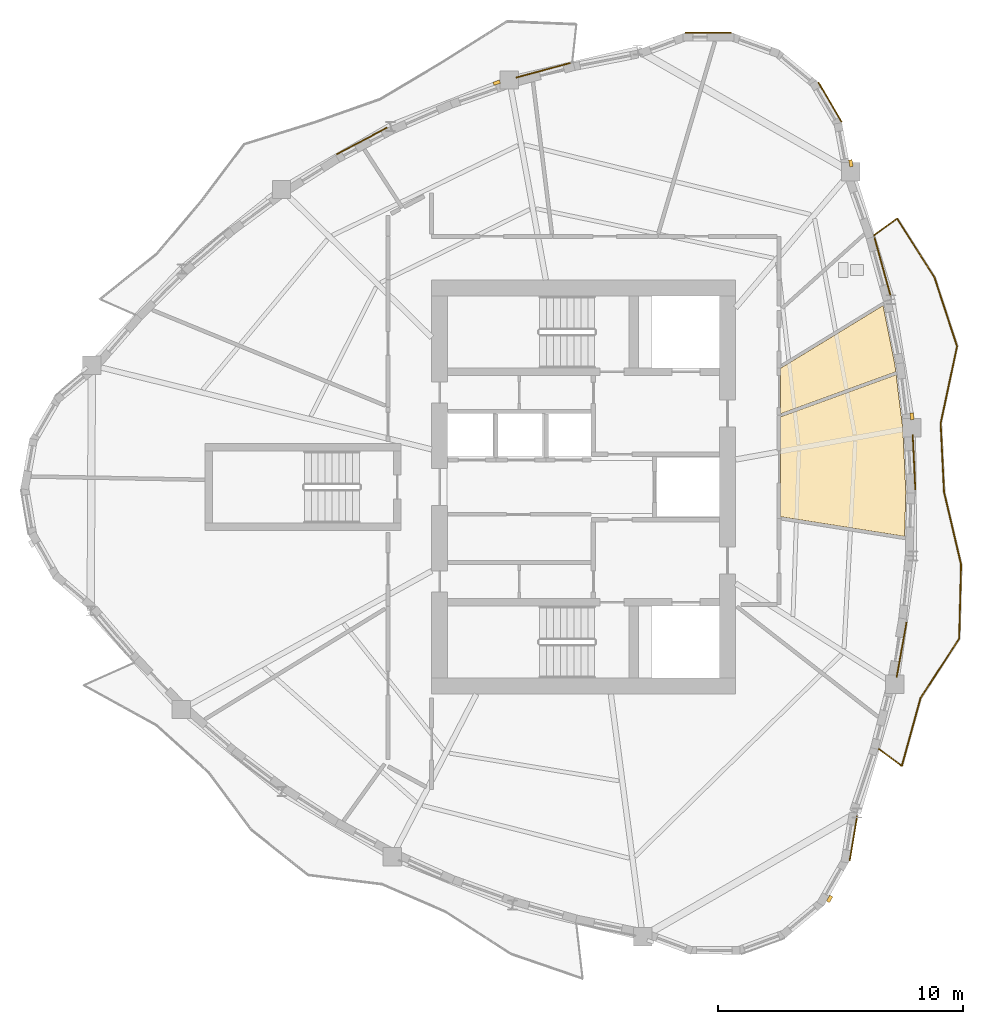
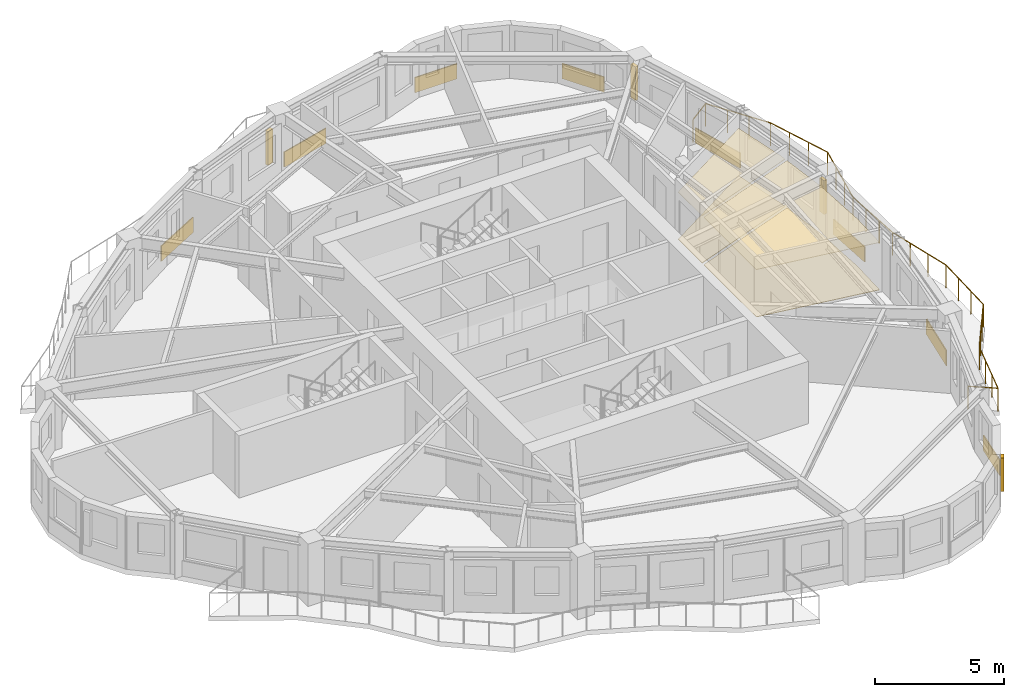
# One storey, part 11 of 12: 12 coverings, 4 shading devices, 1 railing.
"""IFC4 building model written with IfcOpenShell, lengths in metres."""

import ifcopenshell
import ifcopenshell.guid

model = None  # the IFC model being written
_history = None  # IfcOwnerHistory: only IFC2X3 demands one
_inside = {}  # id of a spatial element -> (the spatial element, [elements in it])
_under = {}  # id of a project, library or spatial element -> (it, [spatial elements below it])
_declared = {}  # id of a project -> (the project, [libraries it declares])
_typed = {}  # id of a type object -> (the type object, [elements of that type])
_made_of = {}  # id of a material, layer set ... -> (it, [elements and type objects made of it])


def new_model(schema):
    """Start an empty IFC model of exactly this schema.

    Asked for "IFC4X3", IfcOpenShell would pick the latest addendum, in which some entities
    have other attributes; the version numbers below select the first issue.
    IFC2X3 requires an IfcOwnerHistory on every rooted entity: one is made here for all.
    """
    global model, _history
    if schema == "IFC4X3":
        model = ifcopenshell.file(schema_version=(4, 3, 0, 0))
    else:
        model = ifcopenshell.file(schema=schema)
    _inside.clear()
    _under.clear()
    _declared.clear()
    _typed.clear()
    _made_of.clear()
    _history = None
    if model.schema == "IFC2X3":
        org = make("IfcOrganization", Name="unknown")
        user = make(
            "IfcPersonAndOrganization",
            ThePerson=make("IfcPerson", FamilyName="unknown"),
            TheOrganization=org,
        )
        app = make(
            "IfcApplication",
            ApplicationDeveloper=org,
            Version="unknown",
            ApplicationFullName="unknown",
            ApplicationIdentifier="unknown",
        )
        _history = make(
            "IfcOwnerHistory",
            OwningUser=user,
            OwningApplication=app,
            ChangeAction="ADDED",
            CreationDate=0,
        )
    return model


def make(cls, **values):
    """One entity of the class cls with the attributes given. An attribute that is None is left unset."""
    return model.create_entity(
        cls, **{name: value for name, value in values.items() if value is not None}
    )


def rooted(cls, **values):
    """An entity with a GlobalId (a new one), such as an element, a storey or a relation."""
    return make(cls, GlobalId=ifcopenshell.guid.new(), OwnerHistory=_history, **values)


def si_unit(unit_type, name, prefix=None):
    """IfcSIUnit, for example si_unit("LENGTHUNIT", "METRE", prefix="MILLI")."""
    return make("IfcSIUnit", UnitType=unit_type, Prefix=prefix, Name=name)


def assignment(units):
    """IfcUnitAssignment: the units of a project."""
    return None if units is None else make("IfcUnitAssignment", Units=units)


def point(xyz):
    """IfcCartesianPoint."""
    return None if xyz is None else make("IfcCartesianPoint", Coordinates=xyz)


def direction(xyz):
    """IfcDirection."""
    return None if xyz is None else make("IfcDirection", DirectionRatios=xyz)


def frame(location, z_axis=None, x_axis=None):
    """IfcAxis2Placement3D, a coordinate frame: its origin and axes. An axis left out is left unset."""
    return make(
        "IfcAxis2Placement3D",
        Location=point(location),
        Axis=direction(z_axis),
        RefDirection=direction(x_axis),
    )


def frame_2d(location, x_axis=None):
    """IfcAxis2Placement2D, a coordinate frame in the plane: its origin and x axis."""
    return make(
        "IfcAxis2Placement2D", Location=point(location), RefDirection=direction(x_axis)
    )


def origin():
    """The frame at (0, 0, 0) with its axes left unset."""
    return frame((0.0, 0.0, 0.0))


def origin_2d():
    """The frame at (0, 0) in the plane with its x axis left unset."""
    return frame_2d((0.0, 0.0))


def place(relative_to, where):
    """IfcLocalPlacement: puts the frame where relative to a parent placement (None: the world)."""
    return make(
        "IfcLocalPlacement", PlacementRelTo=relative_to, RelativePlacement=where
    )


def context(
    kind, dimensions, precision=None, world=None, true_north=None, identifier=None
):
    """IfcGeometricRepresentationContext, for example the 3D "Model" context."""
    return make(
        "IfcGeometricRepresentationContext",
        ContextIdentifier=identifier,
        ContextType=kind,
        CoordinateSpaceDimension=dimensions,
        Precision=precision,
        WorldCoordinateSystem=world,
        TrueNorth=true_north,
    )


def subcontext(parent, identifier, kind, view, scale=None):
    """IfcGeometricRepresentationSubContext, for example "Body" below "Model"."""
    return make(
        "IfcGeometricRepresentationSubContext",
        ContextIdentifier=identifier,
        ContextType=kind,
        ParentContext=parent,
        TargetScale=scale,
        TargetView=view,
    )


def project(units=None, contexts=None):
    """IfcProject with its units and contexts."""
    return rooted(
        "IfcProject",
        Name="project",
        RepresentationContexts=contexts,
        UnitsInContext=assignment(units),
    )


def spatial(cls, under=None, at=None, **own):
    """A site, building, storey or space (cls), placed at a placement, below another one or the project."""
    s = rooted(cls, ObjectPlacement=at, **own)
    if under is not None:
        _under.setdefault(under.id(), (under, []))[1].append(s)
    return s


def polyline(points):
    """IfcPolyline through the points."""
    return make("IfcPolyline", Points=[point(p) for p in points])


def profile(cls, at=None, kind="AREA", **sizes):
    """A parametric profile (cls). Its sizes go by their IFC names, for example OverallWidth=200.0."""
    return make(cls, ProfileType=kind, Position=at, **sizes)


def rectangle(**sizes):
    """IfcRectangleProfileDef."""
    return profile("IfcRectangleProfileDef", **sizes)


def circle(**sizes):
    """IfcCircleProfileDef."""
    return profile("IfcCircleProfileDef", **sizes)


def outline(outer, holes=None, kind="AREA"):
    """IfcArbitraryClosedProfileDef: a profile drawn as a closed curve; with holes, ...WithVoids."""
    if holes is None:
        return make("IfcArbitraryClosedProfileDef", ProfileType=kind, OuterCurve=outer)
    return make(
        "IfcArbitraryProfileDefWithVoids",
        ProfileType=kind,
        OuterCurve=outer,
        InnerCurves=holes,
    )


def extrude(swept, where, along, depth):
    """IfcExtrudedAreaSolid: the profile swept, set in the frame where, extruded along a direction by depth."""
    return make(
        "IfcExtrudedAreaSolid",
        SweptArea=swept,
        Position=where,
        ExtrudedDirection=direction(along),
        Depth=depth,
    )


def shape(context_of_items, identifier, shape_type, items):
    """IfcShapeRepresentation: the items that make up one representation, for example the "Body"."""
    return make(
        "IfcShapeRepresentation",
        ContextOfItems=context_of_items,
        RepresentationIdentifier=identifier,
        RepresentationType=shape_type,
        Items=items,
    )


def source(mapping_origin, context_of_items, identifier, shape_type, items):
    """IfcRepresentationMap: a shape defined once, which mapped items show again and again."""
    return make(
        "IfcRepresentationMap",
        MappingOrigin=mapping_origin,
        MappedRepresentation=shape(context_of_items, identifier, shape_type, items),
    )


def transform(
    local_origin,
    x_axis=None,
    y_axis=None,
    z_axis=None,
    scale=None,
    scale2=None,
    scale3=None,
    uniform=True,
):
    """IfcCartesianTransformationOperator3D, or its non-uniform kind. x_axis, y_axis, z_axis: its Axis1, 2, 3."""
    if uniform:
        return make(
            "IfcCartesianTransformationOperator3D",
            Axis1=direction(x_axis),
            Axis2=direction(y_axis),
            LocalOrigin=point(local_origin),
            Scale=scale,
            Axis3=direction(z_axis),
        )
    return make(
        "IfcCartesianTransformationOperator3DnonUniform",
        Axis1=direction(x_axis),
        Axis2=direction(y_axis),
        LocalOrigin=point(local_origin),
        Scale=scale,
        Axis3=direction(z_axis),
        Scale2=scale2,
        Scale3=scale3,
    )


def mapped(mapping_source, mapping_target):
    """IfcMappedItem: shows the shape of a source again, moved by a transform."""
    return make(
        "IfcMappedItem", MappingSource=mapping_source, MappingTarget=mapping_target
    )


def material(Name=None, Category=None):
    """IfcMaterial."""
    return make("IfcMaterial", Name=Name, Category=Category)


def layer(
    of_material, thickness, ventilated=None, Name=None, Category=None, Priority=None
):
    """IfcMaterialLayer: one layer of a wall or slab, of a material (None: an air gap)."""
    return make(
        "IfcMaterialLayer",
        Material=of_material,
        LayerThickness=thickness,
        IsVentilated=ventilated,
        Name=Name,
        Category=Category,
        Priority=Priority,
    )


def layer_set(layers, Name=None):
    """IfcMaterialLayerSet."""
    return make("IfcMaterialLayerSet", MaterialLayers=layers, LayerSetName=Name)


def made_of(thing, what):
    """Note that an element or type object is made of a material, layer set ...; save() writes the relation."""
    if what is not None:
        _made_of.setdefault(what.id(), (what, []))[1].append(thing)
    return thing


def type_object(cls, material=None, **own):
    """A type object (cls), such as IfcWallType, which elements share."""
    return made_of(rooted(cls, **own), material)


def element(
    cls,
    number,
    at=None,
    inside=None,
    cuts=None,
    type_object=None,
    material=None,
    context=None,
    identifier="Body",
    shape_type=None,
    held_by="IfcProductDefinitionShape",
    body=None,
    shapes=None,
    **own,
):
    """One element of the class cls, such as IfcWall. Its Tag is "e" and its number.

    at: its placement. inside: the storey or other place that contains it. cuts: it is an
    opening in that element (IfcRelVoidsElement). A single representation is given by context,
    identifier, shape_type and body (its items); several are given by shapes. held_by: the class
    of the entity that holds the representations. save() writes the other relations.
    """
    e = rooted(cls, Tag="e%d" % number, ObjectPlacement=at, **own)
    if body is not None:
        shapes = [shape(context, identifier, shape_type, body)]
    if shapes is not None:
        e.Representation = make(held_by, Representations=shapes)
    if inside is not None:
        _inside.setdefault(inside.id(), (inside, []))[1].append(e)
    if cuts is not None:
        rooted(
            "IfcRelVoidsElement", RelatingBuildingElement=cuts, RelatedOpeningElement=e
        )
    if type_object is not None:
        _typed.setdefault(type_object.id(), (type_object, []))[1].append(e)
    return made_of(e, material)


def aggregate(whole, parts):
    """IfcRelAggregates: a whole, such as a stair, and the parts it consists of."""
    return rooted("IfcRelAggregates", RelatingObject=whole, RelatedObjects=parts)


def save(model, path):
    """Write the relations noted so far, then the file.

    IfcRelAggregates (storeys below a building ...), IfcRelContainedInSpatialStructure (elements
    in a storey), IfcRelDefinesByType, IfcRelAssociatesMaterial and IfcRelDeclares: one each for
    every whole, place, type object, material and project.
    """
    for whole, parts in _under.values():
        aggregate(whole, parts)
    for where, things in _inside.values():
        rooted(
            "IfcRelContainedInSpatialStructure",
            RelatedElements=things,
            RelatingStructure=where,
        )
    for kind, things in _typed.values():
        rooted("IfcRelDefinesByType", RelatedObjects=things, RelatingType=kind)
    for what, things in _made_of.values():
        rooted("IfcRelAssociatesMaterial", RelatedObjects=things, RelatingMaterial=what)
    for by, libraries in _declared.values():
        rooted("IfcRelDeclares", RelatingContext=by, RelatedDefinitions=libraries)
    model.write(path)


model = new_model("IFC4")

# Units and contexts
model_context = context("Model", 3, precision=1e-05, world=origin(), true_north=direction((0.0, 1.0)))
body_context = subcontext(model_context, "Body", "Model", "MODEL_VIEW")
ifc_project = project(units=[si_unit("LENGTHUNIT", "METRE"), si_unit("AREAUNIT", "SQUARE_METRE"), si_unit("VOLUMEUNIT", "CUBIC_METRE"), si_unit("PLANEANGLEUNIT", "RADIAN"), si_unit("MASSUNIT", "GRAM", prefix="KILO")], contexts=[model_context])

# Site, building, storey
site_placement = place(None, origin())
site = spatial("IfcSite", under=ifc_project, at=site_placement, CompositionType="ELEMENT")
building_placement = place(site_placement, origin())
building = spatial("IfcBuilding", under=site, at=building_placement, Name="Qafzar Sky-Pleat Residences", CompositionType="ELEMENT")
storey_placement = place(building_placement, frame((0.0, 0.0, 177.800048828125)))
storey = spatial("IfcBuildingStorey", under=building, at=storey_placement, Name="L53", CompositionType="ELEMENT", Elevation=177.800048828125)

# Coverings
ifc_material_1 = material(Name="Perforated acoustic gypsum board ceiling")
ifc_layer_1 = layer(ifc_material_1, 0.02001953125)
ifc_layer_set_1 = layer_set([ifc_layer_1], Name="Perforated acoustic gypsum board ceiling")
covering_type_1 = type_object("IfcCoveringType", Name="COV-CEIL-ACOUSTIC", PredefinedType="CEILING", material=ifc_layer_set_1)
covering_1_placement = place(storey_placement, frame((0.0, 0.0, 2.239990234375)))
element("IfcCovering", 1, at=covering_1_placement, inside=storey, type_object=covering_type_1, Name="L53 Co-Living Lounge Acoustic Ceiling", PredefinedType="CEILING", context=body_context, shape_type="SweptSolid", body=[
    extrude(outline(polyline([(43.374755859375, 28.387939453125), (43.498291015625, 25.801025390625), (43.44677734375, 23.98486328125), (38.389892578125, 24.786376953125), (38.389892578125, 28.863037109375), (43.103271484375, 30.578857421875), (43.374755859375, 28.387939453125)])), origin(), (0.0, 0.0, 1.0), 0.02001953125),
])
covering_2_placement = place(storey_placement, frame((0.0, 0.0, 2.239990234375)))
element("IfcCovering", 2, at=covering_2_placement, inside=storey, type_object=covering_type_1, Name="L53 Scholar Study Room Acoustic Ceiling", PredefinedType="CEILING", context=body_context, shape_type="SweptSolid", body=[
    extrude(outline(polyline([(43.054443359375, 30.973388671875), (43.088134765625, 30.701171875), (38.389892578125, 28.99072265625), (38.389892578125, 30.847412109375), (42.568359375, 33.4033203125), (43.054443359375, 30.973388671875)])), origin(), (0.0, 0.0, 1.0), 0.02001953125),
])
ifc_material_2 = material(Name="Honed porcelain and Riyadh stone tile flooring", Category="masonry")
ifc_layer_2 = layer(ifc_material_2, 0.02001953125)
ifc_layer_set_2 = layer_set([ifc_layer_2], Name="Honed porcelain and Riyadh stone tile flooring")
covering_type_2 = type_object("IfcCoveringType", Name="COV-FLR-PORCELAIN", PredefinedType="FLOORING", material=ifc_layer_set_2)
covering_3_placement = place(storey_placement, origin())
element("IfcCovering", 3, at=covering_3_placement, inside=storey, type_object=covering_type_2, Name="L53 Co-Living Lounge Honed Stone Flooring", PredefinedType="FLOORING", context=body_context, shape_type="SweptSolid", body=[
    extrude(outline(polyline([(43.374755859375, 28.387939453125), (43.498291015625, 25.801025390625), (43.44677734375, 23.98486328125), (38.389892578125, 24.786376953125), (38.389892578125, 28.863037109375), (43.103271484375, 30.578857421875), (43.374755859375, 28.387939453125)])), origin(), (0.0, 0.0, 1.0), 0.02001953125),
])
covering_4_placement = place(storey_placement, origin())
element("IfcCovering", 4, at=covering_4_placement, inside=storey, type_object=covering_type_2, Name="L53 Scholar Study Room Honed Stone Flooring", PredefinedType="FLOORING", context=body_context, shape_type="SweptSolid", body=[
    extrude(outline(polyline([(43.054443359375, 30.973388671875), (43.088134765625, 30.701171875), (38.389892578125, 28.99072265625), (38.389892578125, 30.847412109375), (42.568359375, 33.4033203125), (43.054443359375, 30.973388671875)])), origin(), (0.0, 0.0, 1.0), 0.02001953125),
])

# Shading devices
ifc_material_3 = material(Name="Honed Riyadh limestone solar fin", Category="masonry")
ifc_layer_3 = layer(ifc_material_3, 0.139892578125)
ifc_layer_set_3 = layer_set([ifc_layer_3], Name="Honed Riyadh limestone solar fin")
shading_device_type = type_object("IfcShadingDeviceType", Name="SHD-FIN-STONE", PredefinedType="SHUTTER", material=ifc_layer_set_3)
shared_shape_1 = source(origin(), body_context, "Body", "SweptSolid", [
    extrude(rectangle(XDim=0.139892578125, YDim=0.280029296875, at=origin_2d()), origin(), (0.0, 0.0, 1.0), 1.60009765625),
])
for number, where, z_axis, x_axis, name in (
    (5, (40.388916015625, 9.19091796875, 0.599853515625), (0.0, 0.0, 1.0), (0.86845497166, -0.495768052821, 0.0), "L53 Limestone Solar Fin 21"),
    (6, (43.75146484375, 28.885009765625, 0.599853515625), (0.0, 0.0, 1.0), (0.992418634541, 0.122903432891, 0.0), "L53 Limestone Solar Fin 29"),
    (7, (41.257568359375, 39.2099609375, 0.599853515625), (0.0, 0.0, 1.0), (0.983226064815, 0.182391078371, 0.0), "L53 Limestone Solar Fin 33"),
    (8, (26.802734375, 42.497314453125, 0.599853515625), (0.0, 0.0, 1.0), (-0.329581229918, 0.944127222829, 0.0), "L53 Limestone Solar Fin 41"),
):
    element("IfcShadingDevice", number, at=place(storey_placement, frame(where, z_axis=z_axis, x_axis=x_axis)), inside=storey, type_object=shading_device_type, Name=name, PredefinedType="SHUTTER", context=body_context, shape_type="MappedRepresentation", body=[
        mapped(shared_shape_1, transform((0.0, 0.0, 0.0), x_axis=(1.0, 0.0, 0.0), y_axis=(0.0, 1.0, 0.0), z_axis=(0.0, 0.0, 1.0), scale=1.0)),
    ])

# Coverings
ifc_material_4 = material(Name="Honed Riyadh Tuwaiq limestone cladding", Category="masonry")
ifc_layer_4 = layer(ifc_material_4, 0.044921875)
ifc_layer_set_4 = layer_set([ifc_layer_4], Name="Honed Riyadh Tuwaiq limestone cladding")
covering_type_3 = type_object("IfcCoveringType", Name="COV-CLAD-STONE", PredefinedType="CLADDING", material=ifc_layer_set_4)
shared_shape_2 = source(origin(), body_context, "Body", "SweptSolid", [
    extrude(rectangle(XDim=1.873046875, YDim=0.044921875, at=origin_2d()), origin(), (0.0, 0.0, 1.0), 0.719970703125),
])
for number, where, z_axis, x_axis, name in (
    (9, (40.402099609375, 41.70703125, 0.02001953125), (0.0, 0.0, 1.0), (-0.506303893958, 0.862355128101, 0.0), "L53 Riyadh Limestone Spandrel Cladding 34"),
    (10, (35.44287109375, 44.538330078125, 0.02001953125), (0.0, 0.0, 1.0), (-0.999997113828, -0.002402568631, 0.0), "L53 Riyadh Limestone Spandrel Cladding 37"),
):
    element("IfcCovering", number, at=place(storey_placement, frame(where, z_axis=z_axis, x_axis=x_axis)), inside=storey, type_object=covering_type_3, Name=name, PredefinedType="CLADDING", context=body_context, shape_type="MappedRepresentation", body=[
        mapped(shared_shape_2, transform((0.0, 0.0, 0.0), x_axis=(1.0, 0.0, 0.0), y_axis=(0.0, 1.0, 0.0), z_axis=(0.0, 0.0, 1.0), scale=1.0)),
    ])
shared_shape_3 = source(origin(), body_context, "Body", "SweptSolid", [
    extrude(rectangle(XDim=1.845703125, YDim=0.044921875, at=origin_2d()), origin(), (0.0, 0.0, 1.0), 0.719970703125),
])
covering_5_placement = place(storey_placement, frame((41.35888671875, 11.66650390625, 0.02001953125), z_axis=(0.0, 0.0, 1.0), x_axis=(0.165687701877, 0.98617827265, 0.0)))
element("IfcCovering", 11, at=covering_5_placement, inside=storey, type_object=covering_type_3, Name="L53 Riyadh Limestone Spandrel Cladding 22", PredefinedType="CLADDING", context=body_context, shape_type="MappedRepresentation", body=[
    mapped(shared_shape_3, transform((0.0, 0.0, 0.0), x_axis=(1.0, 0.0, 0.0), y_axis=(0.0, 1.0, 0.0), z_axis=(0.0, 0.0, 1.0), scale=1.0)),
])

# Railing
ifc_material_5 = material(Name="Laminated glass and bronze steel balustrade", Category="steel")
railing_type = type_object("IfcRailingType", Name="RAIL-BAL-1100", PredefinedType="BALUSTRADE", material=ifc_material_5)
shared_shape_4 = source(origin(), body_context, "Body", "SweptSolid", [
    extrude(circle(Radius=0.02392578125, at=origin_2d()), frame((0.0, 0.0, 1.076171875), z_axis=(0.802925231445, -0.596079753649, 0.0), x_axis=(0.596079753649, 0.802925231445, 0.0)), (0.0, 0.0, 1.0), 1.177978515625),
    extrude(circle(Radius=0.02392578125, at=origin_2d()), frame((0.94580078125, -0.7021484375, 1.076171875), z_axis=(0.265969828884, 0.963981353618, 0.0), x_axis=(-0.963981353618, 0.265969828884, 0.0)), (0.0, 0.0, 1.0), 2.8740234375),
    extrude(circle(Radius=0.02392578125, at=origin_2d()), frame((1.710205078125, 2.068359375, 1.076171875), z_axis=(0.544697870849, 0.838632356574, 0.0), x_axis=(-0.838632356574, 0.544697870849, 0.0)), (0.0, 0.0, 1.0), 2.8955078125),
    extrude(circle(Radius=0.02392578125, at=origin_2d()), frame((3.287353515625, 4.49658203125, 1.076171875), z_axis=(0.025504376596, 0.999674710481, 0.0), x_axis=(-0.999674710481, 0.025504376596, 0.0)), (0.0, 0.0, 1.0), 3.02490234375),
    extrude(circle(Radius=0.02392578125, at=origin_2d()), frame((3.364501953125, 7.5205078125, 1.076171875), z_axis=(-0.229344537844, 0.9733453051, 0.0), x_axis=(-0.9733453051, -0.229344537844, 0.0)), (0.0, 0.0, 1.0), 3.03173828125),
    extrude(circle(Radius=0.02392578125, at=origin_2d()), frame((2.669189453125, 10.471435546875, 1.076171875), z_axis=(-0.049197584938, 0.998789065637, 0.0), x_axis=(-0.998789065637, -0.049197584938, 0.0)), (0.0, 0.0, 1.0), 2.813720703125),
    extrude(circle(Radius=0.02392578125, at=origin_2d()), frame((2.53076171875, 13.28173828125, 1.076171875), z_axis=(0.208687917965, 0.977982286596, 0.0), x_axis=(-0.977982286596, 0.208687917965, 0.0)), (0.0, 0.0, 1.0), 3.21142578125),
    extrude(circle(Radius=0.02392578125, at=origin_2d()), frame((3.200927734375, 16.42236328125, 1.076171875), z_axis=(-0.311619076428, 0.950207109638, 0.0), x_axis=(-0.950207109638, -0.311619076428, 0.0)), (0.0, 0.0, 1.0), 2.958251953125),
    extrude(circle(Radius=0.02392578125, at=origin_2d()), frame((2.279052734375, 19.2333984375, 1.076171875), z_axis=(-0.537242125182, 0.843428063874, 0.0), x_axis=(-0.843428063874, -0.537242125182, 0.0)), (0.0, 0.0, 1.0), 2.843505859375),
    extrude(circle(Radius=0.02392578125, at=origin_2d()), frame((0.75146484375, 21.631591796875, 1.076171875), z_axis=(-0.810274660649, -0.586050317216, 0.0), x_axis=(0.586050317216, -0.810274660649, 0.0)), (0.0, 0.0, 1.0), 1.17822265625),
    extrude(circle(Radius=0.02099609375, at=origin_2d()), origin(), (0.0, 0.0, 1.0), 1.052001953125),
    extrude(circle(Radius=0.02099609375, at=origin_2d()), frame((0.94580078125, -0.7021484375, 0.0)), (0.0, 0.0, 1.0), 1.052001953125),
    extrude(circle(Radius=0.02099609375, at=origin_2d()), frame((1.20068359375, 0.221435546875, 0.0)), (0.0, 0.0, 1.0), 1.052001953125),
    extrude(circle(Radius=0.02099609375, at=origin_2d()), frame((1.455322265625, 1.144775390625, 0.0)), (0.0, 0.0, 1.0), 1.052001953125),
    extrude(circle(Radius=0.02099609375, at=origin_2d()), frame((1.710205078125, 2.068359375, 0.0)), (0.0, 0.0, 1.0), 1.052001953125),
    extrude(circle(Radius=0.02099609375, at=origin_2d()), frame((2.23583984375, 2.877685546875, 0.0)), (0.0, 0.0, 1.0), 1.052001953125),
    extrude(circle(Radius=0.02099609375, at=origin_2d()), frame((2.76171875, 3.687255859375, 0.0)), (0.0, 0.0, 1.0), 1.052001953125),
    extrude(circle(Radius=0.02099609375, at=origin_2d()), frame((3.287353515625, 4.49658203125, 0.0)), (0.0, 0.0, 1.0), 1.052001953125),
    extrude(circle(Radius=0.02099609375, at=origin_2d()), frame((3.31298828125, 5.504638671875, 0.0)), (0.0, 0.0, 1.0), 1.052001953125),
    extrude(circle(Radius=0.02099609375, at=origin_2d()), frame((3.3388671875, 6.512451171875, 0.0)), (0.0, 0.0, 1.0), 1.052001953125),
    extrude(circle(Radius=0.02099609375, at=origin_2d()), frame((3.364501953125, 7.5205078125, 0.0)), (0.0, 0.0, 1.0), 1.052001953125),
    extrude(circle(Radius=0.02099609375, at=origin_2d()), frame((3.1328125, 8.504150390625, 0.0)), (0.0, 0.0, 1.0), 1.052001953125),
    extrude(circle(Radius=0.02099609375, at=origin_2d()), frame((2.90087890625, 9.48779296875, 0.0)), (0.0, 0.0, 1.0), 1.052001953125),
    extrude(circle(Radius=0.02099609375, at=origin_2d()), frame((2.669189453125, 10.471435546875, 0.0)), (0.0, 0.0, 1.0), 1.052001953125),
    extrude(circle(Radius=0.02099609375, at=origin_2d()), frame((2.623046875, 11.408203125, 0.0)), (0.0, 0.0, 1.0), 1.052001953125),
    extrude(circle(Radius=0.02099609375, at=origin_2d()), frame((2.576904296875, 12.344970703125, 0.0)), (0.0, 0.0, 1.0), 1.052001953125),
    extrude(circle(Radius=0.02099609375, at=origin_2d()), frame((2.53076171875, 13.28173828125, 0.0)), (0.0, 0.0, 1.0), 1.052001953125),
    extrude(circle(Radius=0.02099609375, at=origin_2d()), frame((2.754150390625, 14.32861328125, 0.0)), (0.0, 0.0, 1.0), 1.052001953125),
    extrude(circle(Radius=0.02099609375, at=origin_2d()), frame((2.9775390625, 15.37548828125, 0.0)), (0.0, 0.0, 1.0), 1.052001953125),
    extrude(circle(Radius=0.02099609375, at=origin_2d()), frame((3.200927734375, 16.42236328125, 0.0)), (0.0, 0.0, 1.0), 1.052001953125),
    extrude(circle(Radius=0.02099609375, at=origin_2d()), frame((2.8935546875, 17.359375, 0.0)), (0.0, 0.0, 1.0), 1.052001953125),
    extrude(circle(Radius=0.02099609375, at=origin_2d()), frame((2.58642578125, 18.29638671875, 0.0)), (0.0, 0.0, 1.0), 1.052001953125),
    extrude(circle(Radius=0.02099609375, at=origin_2d()), frame((2.279052734375, 19.2333984375, 0.0)), (0.0, 0.0, 1.0), 1.052001953125),
    extrude(circle(Radius=0.02099609375, at=origin_2d()), frame((1.769775390625, 20.03271484375, 0.0)), (0.0, 0.0, 1.0), 1.052001953125),
    extrude(circle(Radius=0.02099609375, at=origin_2d()), frame((1.2607421875, 20.832275390625, 0.0)), (0.0, 0.0, 1.0), 1.052001953125),
    extrude(circle(Radius=0.02099609375, at=origin_2d()), frame((0.75146484375, 21.631591796875, 0.0)), (0.0, 0.0, 1.0), 1.052001953125),
    extrude(circle(Radius=0.02099609375, at=origin_2d()), frame((-0.203125, 20.941162109375, 0.0)), (0.0, 0.0, 1.0), 1.052001953125),
])
railing_placement = place(storey_placement, frame((42.38916015625, 15.318603515625, 0.0)))
element("IfcRailing", 12, at=railing_placement, inside=storey, type_object=railing_type, Name="L53 Pleated Balcony 1 Balustrade", PredefinedType="BALUSTRADE", context=body_context, shape_type="MappedRepresentation", body=[
    mapped(shared_shape_4, transform((0.0, 0.0, 0.0), x_axis=(1.0, 0.0, 0.0), y_axis=(0.0, 1.0, 0.0), z_axis=(0.0, 0.0, 1.0), scale=1.0)),
])

# Coverings
shared_shape_5 = source(origin(), body_context, "Body", "SweptSolid", [
    extrude(rectangle(XDim=2.2822265625, YDim=0.044921875, at=origin_2d()), origin(), (0.0, 0.0, 1.0), 0.719970703125),
])
covering_6_placement = place(storey_placement, frame((43.325439453125, 19.354736328125, 0.02001953125), z_axis=(0.0, 0.0, 1.0), x_axis=(0.177104868754, 0.98419198608, 0.0)))
element("IfcCovering", 13, at=covering_6_placement, inside=storey, type_object=covering_type_3, Name="L53 Riyadh Limestone Spandrel Cladding 25", PredefinedType="CLADDING", context=body_context, shape_type="MappedRepresentation", body=[
    mapped(shared_shape_5, transform((0.0, 0.0, 0.0), x_axis=(1.0, 0.0, 0.0), y_axis=(0.0, 1.0, 0.0), z_axis=(0.0, 0.0, 1.0), scale=1.0)),
])
shared_shape_6 = source(origin(), body_context, "Body", "SweptSolid", [
    extrude(rectangle(XDim=2.24169921875, YDim=0.044921875, at=origin_2d()), origin(), (0.0, 0.0, 1.0), 0.719970703125),
])
covering_7_placement = place(storey_placement, frame((43.832763671875, 27.01171875, 0.02001953125), z_axis=(0.0, 0.0, 1.0), x_axis=(-0.047692942752, 0.998862044134, 0.0)))
element("IfcCovering", 14, at=covering_7_placement, inside=storey, type_object=covering_type_3, Name="L53 Riyadh Limestone Spandrel Cladding 28", PredefinedType="CLADDING", context=body_context, shape_type="MappedRepresentation", body=[
    mapped(shared_shape_6, transform((0.0, 0.0, 0.0), x_axis=(1.0, 0.0, 0.0), y_axis=(0.0, 1.0, 0.0), z_axis=(0.0, 0.0, 1.0), scale=1.0)),
])
shared_shape_7 = source(origin(), body_context, "Body", "SweptSolid", [
    extrude(rectangle(XDim=2.452392578125, YDim=0.044921875, at=origin_2d()), origin(), (0.0, 0.0, 1.0), 0.719970703125),
])
covering_8_placement = place(storey_placement, frame((42.550537109375, 34.98193359375, 0.02001953125), z_axis=(0.0, 0.0, 1.0), x_axis=(-0.266422857024, 0.963856245119, 0.0)))
element("IfcCovering", 15, at=covering_8_placement, inside=storey, type_object=covering_type_3, Name="L53 Riyadh Limestone Spandrel Cladding 31", PredefinedType="CLADDING", context=body_context, shape_type="MappedRepresentation", body=[
    mapped(shared_shape_7, transform((0.0, 0.0, 0.0), x_axis=(1.0, 0.0, 0.0), y_axis=(0.0, 1.0, 0.0), z_axis=(0.0, 0.0, 1.0), scale=1.0)),
])
shared_shape_8 = source(origin(), body_context, "Body", "SweptSolid", [
    extrude(rectangle(XDim=2.281005859375, YDim=0.044921875, at=origin_2d()), origin(), (0.0, 0.0, 1.0), 0.719970703125),
])
covering_9_placement = place(storey_placement, frame((28.697021484375, 43.00341796875, 0.02001953125), z_axis=(0.0, 0.0, 1.0), x_axis=(-0.965452512794, -0.260579058139, 0.0)))
element("IfcCovering", 16, at=covering_9_placement, inside=storey, type_object=covering_type_3, Name="L53 Riyadh Limestone Spandrel Cladding 40", PredefinedType="CLADDING", context=body_context, shape_type="MappedRepresentation", body=[
    mapped(shared_shape_8, transform((0.0, 0.0, 0.0), x_axis=(1.0, 0.0, 0.0), y_axis=(0.0, 1.0, 0.0), z_axis=(0.0, 0.0, 1.0), scale=1.0)),
])
shared_shape_9 = source(origin(), body_context, "Body", "SweptSolid", [
    extrude(rectangle(XDim=2.33251953125, YDim=0.044921875, at=origin_2d()), origin(), (0.0, 0.0, 1.0), 0.719970703125),
])
covering_10_placement = place(storey_placement, frame((21.300537109375, 40.119384765625, 0.02001953125), z_axis=(0.0, 0.0, 1.0), x_axis=(-0.88438784981, -0.466752751582, 0.0)))
element("IfcCovering", 17, at=covering_10_placement, inside=storey, type_object=covering_type_3, Name="L53 Riyadh Limestone Spandrel Cladding 43", PredefinedType="CLADDING", context=body_context, shape_type="MappedRepresentation", body=[
    mapped(shared_shape_9, transform((0.0, 0.0, 0.0), x_axis=(1.0, 0.0, 0.0), y_axis=(0.0, 1.0, 0.0), z_axis=(0.0, 0.0, 1.0), scale=1.0)),
])

save(model, "model.ifc")
